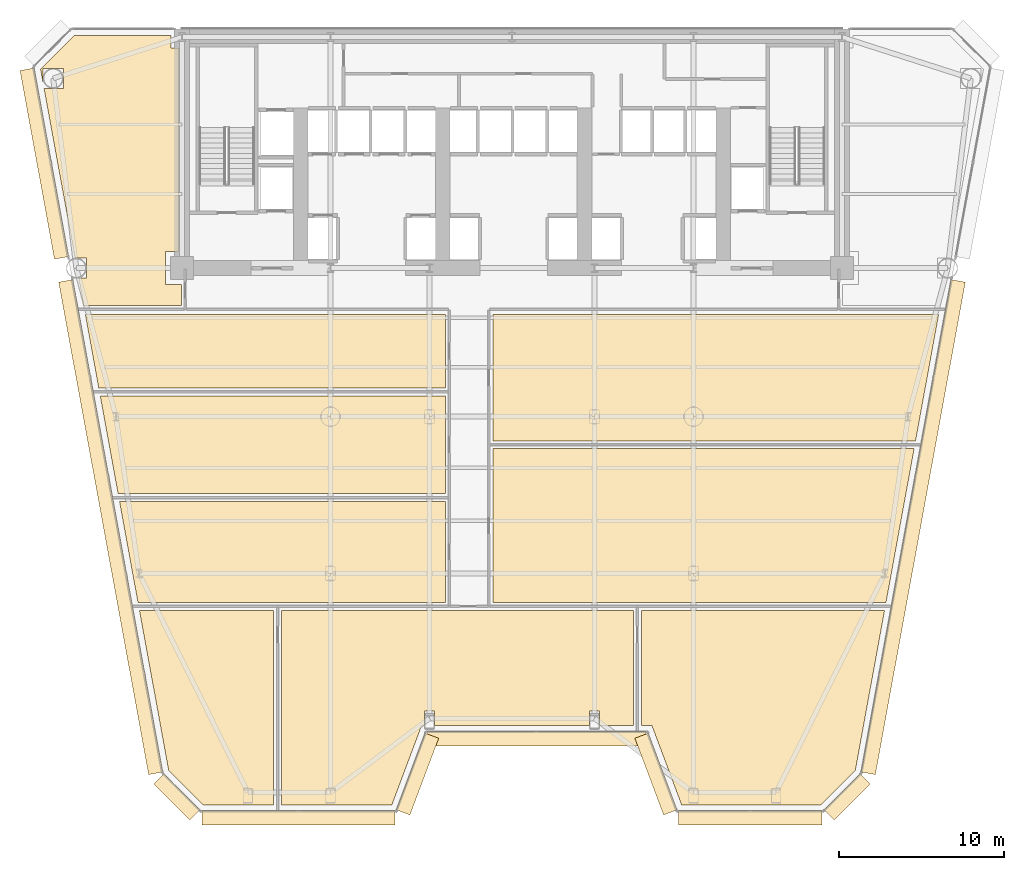
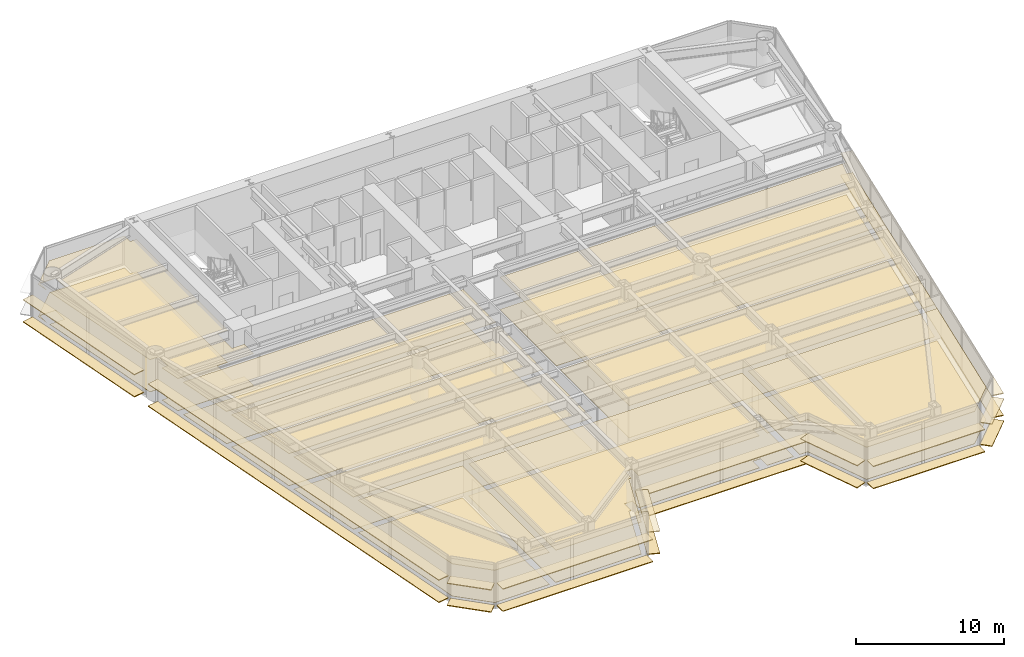
# One storey, part 11 of 14: 38 coverings.
"""IFC4 building model written with IfcOpenShell, lengths in metres."""

from ifc_helpers import new_model, si_unit, direction, frame, origin, origin_2d, place, context, subcontext, project, spatial, polyline, rectangle, outline, extrude, source, transform, mapped, material, layer, layer_set, type_object, element, save


model = new_model("IFC4")

# Units and contexts
model_context = context("Model", 3, precision=1e-05, world=origin(), true_north=direction((0.0, 1.0)))
body_context = subcontext(model_context, "Body", "Model", "MODEL_VIEW")
ifc_project = project(units=[si_unit("LENGTHUNIT", "METRE"), si_unit("AREAUNIT", "SQUARE_METRE"), si_unit("VOLUMEUNIT", "CUBIC_METRE"), si_unit("PLANEANGLEUNIT", "RADIAN"), si_unit("MASSUNIT", "GRAM", prefix="KILO")], contexts=[model_context])

# Site, building, storey
site_placement = place(None, origin())
site = spatial("IfcSite", under=ifc_project, at=site_placement, CompositionType="ELEMENT")
building_placement = place(site_placement, origin())
building = spatial("IfcBuilding", under=site, at=building_placement, Name="Vaeldorn Concourse Tower", CompositionType="ELEMENT")
storey_placement = place(building_placement, frame((0.0, 0.0, 75.800048828125)))
storey = spatial("IfcBuildingStorey", under=building, at=storey_placement, Name="L19", CompositionType="ELEMENT", Elevation=75.800048828125)

# Coverings
ifc_material_1 = material(Name="Acoustic Mineral Fibre Board", Category="gypsum")
ifc_layer_1 = layer(ifc_material_1, 0.0400390625)
ifc_layer_set_1 = layer_set([ifc_layer_1], Name="Acoustic Mineral Fibre Board")
covering_type_1 = type_object("IfcCoveringType", Name="COV-CEIL-ACOUSTIC", PredefinedType="CEILING", material=ifc_layer_set_1)
covering_1_placement = place(storey_placement, frame((0.0, 0.0, 2.64990234375)))
element("IfcCovering", 1, at=covering_1_placement, inside=storey, type_object=covering_type_1, Name="Suspended Acoustic Ceiling L19-3", PredefinedType="CEILING", context=body_context, shape_type="SweptSolid", body=[
    extrude(outline(polyline([(7.4658203125, 50.60009765625), (13.340087890625, 50.60009765625), (13.340087890625, 49.840087890625), (13.820068359375, 49.840087890625), (13.820068359375, 37.5), (13.0, 37.5), (13.0, 35.5), (13.9599609375, 35.5), (13.9599609375, 34.239990234375), (8.048828125, 34.239990234375), (7.747314453125, 35.890380859375), (8.20947265625, 35.890380859375), (8.20947265625, 37.109619140625), (7.524658203125, 37.109619140625), (5.64599609375, 47.390380859375), (6.8095703125, 47.390380859375), (6.8095703125, 48.609619140625), (5.590576171875, 48.609619140625), (5.590576171875, 47.69384765625), (5.43115234375, 48.5654296875), (7.4658203125, 50.60009765625)])), origin(), (0.0, 0.0, 1.0), 0.0400390625),
])
covering_2_placement = place(storey_placement, frame((0.0, 0.0, 2.64990234375)))
element("IfcCovering", 2, at=covering_2_placement, inside=storey, type_object=covering_type_1, Name="Suspended Acoustic Ceiling L19-5", PredefinedType="CEILING", context=body_context, shape_type="SweptSolid", body=[
    extrude(outline(polyline([(29.9599609375, 22.360107421875), (29.9599609375, 16.239990234375), (11.337890625, 16.239990234375), (11.136962890625, 17.340087890625), (11.136962890625, 17.340087890625), (10.2197265625, 22.360107421875), (29.9599609375, 22.360107421875)])), origin(), (0.0, 0.0, 1.0), 0.0400390625),
])
covering_3_placement = place(storey_placement, frame((0.0, 0.0, 2.64990234375)))
element("IfcCovering", 3, at=covering_3_placement, inside=storey, type_object=covering_type_1, Name="Suspended Acoustic Ceiling L19-6", PredefinedType="CEILING", context=body_context, shape_type="SweptSolid", body=[
    extrude(outline(polyline([(29.9599609375, 28.760009765625), (29.9599609375, 22.840087890625), (10.132080078125, 22.840087890625), (9.05029296875, 28.760009765625), (29.9599609375, 28.760009765625)])), origin(), (0.0, 0.0, 1.0), 0.0400390625),
])
covering_4_placement = place(storey_placement, frame((0.0, 0.0, 2.64990234375)))
element("IfcCovering", 4, at=covering_4_placement, inside=storey, type_object=covering_type_1, Name="Suspended Acoustic Ceiling L19-7", PredefinedType="CEILING", context=body_context, shape_type="SweptSolid", body=[
    extrude(outline(polyline([(29.9599609375, 33.699951171875), (29.9599609375, 29.239990234375), (8.96240234375, 29.239990234375), (8.147705078125, 33.699951171875), (29.9599609375, 33.699951171875)])), origin(), (0.0, 0.0, 1.0), 0.0400390625),
])
covering_5_placement = place(storey_placement, frame((0.0, 0.0, 2.64990234375)))
element("IfcCovering", 5, at=covering_5_placement, inside=storey, type_object=covering_type_1, Name="Suspended Acoustic Ceiling L19-8", PredefinedType="CEILING", context=body_context, shape_type="SweptSolid", body=[
    extrude(outline(polyline([(32.840087890625, 16.239990234375), (32.840087890625, 25.56005859375), (58.364990234375, 25.56005859375), (57.0419921875, 18.319091796875), (56.946044921875, 17.794189453125), (56.662109375, 16.239990234375), (32.840087890625, 16.239990234375)])), origin(), (0.0, 0.0, 1.0), 0.0400390625),
])
covering_6_placement = place(storey_placement, frame((0.0, 0.0, 2.64990234375)))
element("IfcCovering", 6, at=covering_6_placement, inside=storey, type_object=covering_type_1, Name="Suspended Acoustic Ceiling L19-9", PredefinedType="CEILING", context=body_context, shape_type="SweptSolid", body=[
    extrude(outline(polyline([(32.840087890625, 26.0400390625), (32.840087890625, 33.699951171875), (59.852294921875, 33.699951171875), (58.45263671875, 26.0400390625), (32.840087890625, 26.0400390625)])), origin(), (0.0, 0.0, 1.0), 0.0400390625),
])
covering_7_placement = place(storey_placement, frame((0.0, 0.0, 2.64990234375)))
element("IfcCovering", 7, at=covering_7_placement, inside=storey, type_object=covering_type_1, Name="Suspended Acoustic Ceiling L19-10", PredefinedType="CEILING", context=body_context, shape_type="SweptSolid", body=[
    extrude(outline(polyline([(19.56005859375, 15.760009765625), (19.56005859375, 3.986083984375), (15.2890625, 3.986083984375), (13.1943359375, 6.080810546875), (11.42578125, 15.760009765625), (19.56005859375, 15.760009765625)])), origin(), (0.0, 0.0, 1.0), 0.0400390625),
])
covering_8_placement = place(storey_placement, frame((0.0, 0.0, 2.64990234375)))
element("IfcCovering", 8, at=covering_8_placement, inside=storey, type_object=covering_type_1, Name="Suspended Acoustic Ceiling L19-11", PredefinedType="CEILING", context=body_context, shape_type="SweptSolid", body=[
    extrude(outline(polyline([(26.722900390625, 3.986083984375), (20.0400390625, 3.986083984375), (20.0400390625, 15.760009765625), (41.360107421875, 15.760009765625), (41.360107421875, 8.7861328125), (39.300048828125, 8.7861328125), (39.300048828125, 9.67529296875), (38.699951171875, 9.67529296875), (38.699951171875, 8.7861328125), (29.300048828125, 8.7861328125), (29.300048828125, 9.67529296875), (28.699951171875, 9.67529296875), (28.699951171875, 8.7861328125), (28.522705078125, 8.7861328125), (26.722900390625, 3.986083984375)])), origin(), (0.0, 0.0, 1.0), 0.0400390625),
])
covering_9_placement = place(storey_placement, frame((0.0, 0.0, 2.64990234375)))
element("IfcCovering", 9, at=covering_9_placement, inside=storey, type_object=covering_type_1, Name="Suspended Acoustic Ceiling L19-12", PredefinedType="CEILING", context=body_context, shape_type="SweptSolid", body=[
    extrude(outline(polyline([(41.840087890625, 8.7861328125), (41.840087890625, 15.760009765625), (56.57421875, 15.760009765625), (54.8056640625, 6.080810546875), (52.7109375, 3.986083984375), (44.277099609375, 3.986083984375), (42.477294921875, 8.7861328125), (41.840087890625, 8.7861328125)])), origin(), (0.0, 0.0, 1.0), 0.0400390625),
])
ifc_material_2 = material(Name="Honed Limestone Terrazzo Flooring", Category="masonry")
ifc_layer_2 = layer(ifc_material_2, 0.0400390625)
ifc_layer_set_2 = layer_set([ifc_layer_2], Name="Honed Limestone Terrazzo Flooring")
covering_type_2 = type_object("IfcCoveringType", Name="COV-FLOOR-STONE", PredefinedType="FLOORING", material=ifc_layer_set_2)
covering_10_placement = place(storey_placement, origin())
element("IfcCovering", 10, at=covering_10_placement, inside=storey, type_object=covering_type_2, Name="Floor Finish Covering L19-3", PredefinedType="FLOORING", context=body_context, shape_type="SweptSolid", body=[
    extrude(outline(polyline([(7.4658203125, 50.60009765625), (13.340087890625, 50.60009765625), (13.340087890625, 49.840087890625), (13.820068359375, 49.840087890625), (13.820068359375, 37.5), (13.0, 37.5), (13.0, 35.5), (13.9599609375, 35.5), (13.9599609375, 34.239990234375), (8.048828125, 34.239990234375), (7.747314453125, 35.890380859375), (8.20947265625, 35.890380859375), (8.20947265625, 37.109619140625), (7.524658203125, 37.109619140625), (5.64599609375, 47.390380859375), (6.8095703125, 47.390380859375), (6.8095703125, 48.609619140625), (5.590576171875, 48.609619140625), (5.590576171875, 47.69384765625), (5.43115234375, 48.5654296875), (7.4658203125, 50.60009765625)])), origin(), (0.0, 0.0, 1.0), 0.030029296875),
])
covering_11_placement = place(storey_placement, origin())
element("IfcCovering", 11, at=covering_11_placement, inside=storey, type_object=covering_type_2, Name="Floor Finish Covering L19-5", PredefinedType="FLOORING", context=body_context, shape_type="SweptSolid", body=[
    extrude(outline(polyline([(29.9599609375, 22.360107421875), (29.9599609375, 16.239990234375), (11.337890625, 16.239990234375), (11.136962890625, 17.340087890625), (11.136962890625, 17.340087890625), (10.2197265625, 22.360107421875), (29.9599609375, 22.360107421875)])), origin(), (0.0, 0.0, 1.0), 0.030029296875),
])
covering_12_placement = place(storey_placement, origin())
element("IfcCovering", 12, at=covering_12_placement, inside=storey, type_object=covering_type_2, Name="Floor Finish Covering L19-6", PredefinedType="FLOORING", context=body_context, shape_type="SweptSolid", body=[
    extrude(outline(polyline([(29.9599609375, 28.760009765625), (29.9599609375, 22.840087890625), (10.132080078125, 22.840087890625), (9.05029296875, 28.760009765625), (29.9599609375, 28.760009765625)])), origin(), (0.0, 0.0, 1.0), 0.030029296875),
])
covering_13_placement = place(storey_placement, origin())
element("IfcCovering", 13, at=covering_13_placement, inside=storey, type_object=covering_type_2, Name="Floor Finish Covering L19-7", PredefinedType="FLOORING", context=body_context, shape_type="SweptSolid", body=[
    extrude(outline(polyline([(29.9599609375, 33.699951171875), (29.9599609375, 29.239990234375), (8.96240234375, 29.239990234375), (8.147705078125, 33.699951171875), (29.9599609375, 33.699951171875)])), origin(), (0.0, 0.0, 1.0), 0.030029296875),
])
covering_14_placement = place(storey_placement, origin())
element("IfcCovering", 14, at=covering_14_placement, inside=storey, type_object=covering_type_2, Name="Floor Finish Covering L19-8", PredefinedType="FLOORING", context=body_context, shape_type="SweptSolid", body=[
    extrude(outline(polyline([(32.840087890625, 16.239990234375), (32.840087890625, 25.56005859375), (58.364990234375, 25.56005859375), (57.0419921875, 18.319091796875), (56.946044921875, 17.794189453125), (56.662109375, 16.239990234375), (32.840087890625, 16.239990234375)])), origin(), (0.0, 0.0, 1.0), 0.030029296875),
])
covering_15_placement = place(storey_placement, origin())
element("IfcCovering", 15, at=covering_15_placement, inside=storey, type_object=covering_type_2, Name="Floor Finish Covering L19-9", PredefinedType="FLOORING", context=body_context, shape_type="SweptSolid", body=[
    extrude(outline(polyline([(32.840087890625, 26.0400390625), (32.840087890625, 33.699951171875), (59.852294921875, 33.699951171875), (58.45263671875, 26.0400390625), (32.840087890625, 26.0400390625)])), origin(), (0.0, 0.0, 1.0), 0.030029296875),
])
covering_16_placement = place(storey_placement, origin())
element("IfcCovering", 16, at=covering_16_placement, inside=storey, type_object=covering_type_2, Name="Floor Finish Covering L19-10", PredefinedType="FLOORING", context=body_context, shape_type="SweptSolid", body=[
    extrude(outline(polyline([(19.56005859375, 15.760009765625), (19.56005859375, 3.986083984375), (15.2890625, 3.986083984375), (13.1943359375, 6.080810546875), (11.42578125, 15.760009765625), (19.56005859375, 15.760009765625)])), origin(), (0.0, 0.0, 1.0), 0.030029296875),
])
covering_17_placement = place(storey_placement, origin())
element("IfcCovering", 17, at=covering_17_placement, inside=storey, type_object=covering_type_2, Name="Floor Finish Covering L19-11", PredefinedType="FLOORING", context=body_context, shape_type="SweptSolid", body=[
    extrude(outline(polyline([(26.722900390625, 3.986083984375), (20.0400390625, 3.986083984375), (20.0400390625, 15.760009765625), (41.360107421875, 15.760009765625), (41.360107421875, 8.7861328125), (39.300048828125, 8.7861328125), (39.300048828125, 9.67529296875), (38.699951171875, 9.67529296875), (38.699951171875, 8.7861328125), (29.300048828125, 8.7861328125), (29.300048828125, 9.67529296875), (28.699951171875, 9.67529296875), (28.699951171875, 8.7861328125), (28.522705078125, 8.7861328125), (26.722900390625, 3.986083984375)])), origin(), (0.0, 0.0, 1.0), 0.030029296875),
])
covering_18_placement = place(storey_placement, origin())
element("IfcCovering", 18, at=covering_18_placement, inside=storey, type_object=covering_type_2, Name="Floor Finish Covering L19-12", PredefinedType="FLOORING", context=body_context, shape_type="SweptSolid", body=[
    extrude(outline(polyline([(41.840087890625, 8.7861328125), (41.840087890625, 15.760009765625), (56.57421875, 15.760009765625), (54.8056640625, 6.080810546875), (52.7109375, 3.986083984375), (44.277099609375, 3.986083984375), (42.477294921875, 8.7861328125), (41.840087890625, 8.7861328125)])), origin(), (0.0, 0.0, 1.0), 0.030029296875),
])
ifc_material_3 = material(Name="Anodised Bronze Aluminium", Category="aluminium")
ifc_layer_3 = layer(ifc_material_3, 0.06494140625)
ifc_layer_set_3 = layer_set([ifc_layer_3], Name="Anodised Bronze Aluminium")
covering_type_3 = type_object("IfcCoveringType", Name="SD-BRONZE-SUNSHADE", PredefinedType="USERDEFINED", material=ifc_layer_set_3)
shared_shape_1 = source(origin(), body_context, "Body", "SweptSolid", [
    extrude(rectangle(XDim=4.96630859375, YDim=0.8798828125, at=origin_2d()), origin(), (0.0, 0.0, 1.0), 0.06494140625),
])
for number, where, z_axis, x_axis, name in (
    (19, (28.2744140625, 5.845703125, 0.04736328125), (0.0, 0.0, 1.0), (0.351122702609, 0.936329454686, 0.0), "Horizontal Bronze Sunshade L19-E02.1.1"),
    (20, (28.2744140625, 5.845703125, 1.867431640625), (0.0, 0.0, 1.0), (0.351122702609, 0.936329454686, 0.0), "Horizontal Bronze Sunshade L19-E02.1.2"),
    (21, (42.7255859375, 5.845703125, 0.04736328125), (0.0, 0.0, 1.0), (0.351122702609, -0.936329454686, 0.0), "Horizontal Bronze Sunshade L19-E04.1.1"),
    (22, (42.7255859375, 5.845703125, 1.867431640625), (0.0, 0.0, 1.0), (0.351122702609, -0.936329454686, 0.0), "Horizontal Bronze Sunshade L19-E04.1.2"),
):
    element("IfcCovering", number, at=place(storey_placement, frame(where, z_axis=z_axis, x_axis=x_axis)), inside=storey, type_object=covering_type_3, Name=name, ObjectType="SUNSHADE", PredefinedType="USERDEFINED", context=body_context, shape_type="MappedRepresentation", body=[
        mapped(shared_shape_1, transform((0.0, 0.0, 0.0), scale=1.0)),
    ])
shared_shape_2 = source(origin(), body_context, "Body", "SweptSolid", [
    extrude(rectangle(XDim=13.239990234375, YDim=0.8798828125, at=origin_2d()), origin(), (0.0, 0.0, 1.0), 0.06494140625),
])
for number, where, z_axis, x_axis, name in (
    (23, (35.5, 7.986083984375, 0.04736328125), (0.0, 0.0, 1.0), (1.0, 0.0, 0.0), "Horizontal Bronze Sunshade L19-E03.1.1"),
    (24, (35.5, 7.986083984375, 1.867431640625), (0.0, 0.0, 1.0), (1.0, 0.0, 0.0), "Horizontal Bronze Sunshade L19-E03.1.2"),
):
    element("IfcCovering", number, at=place(storey_placement, frame(where, z_axis=z_axis, x_axis=x_axis)), inside=storey, type_object=covering_type_3, Name=name, ObjectType="SUNSHADE", PredefinedType="USERDEFINED", context=body_context, shape_type="MappedRepresentation", body=[
        mapped(shared_shape_2, transform((0.0, 0.0, 0.0), scale=1.0)),
    ])
shared_shape_3 = source(origin(), body_context, "Body", "SweptSolid", [
    extrude(rectangle(XDim=3.0927734375, YDim=0.8798828125, at=origin_2d()), origin(), (0.0, 0.0, 1.0), 0.06494140625),
])
for number, where, z_axis, x_axis, name in (
    (25, (54.3095703125, 4.453369140625, 0.04736328125), (0.0, 0.0, 1.0), (0.707106781187, 0.707106781187, 0.0), "Horizontal Bronze Sunshade L19-E06.1.1"),
    (26, (54.3095703125, 4.453369140625, 1.867431640625), (0.0, 0.0, 1.0), (0.707106781187, 0.707106781187, 0.0), "Horizontal Bronze Sunshade L19-E06.1.2"),
    (27, (13.6904296875, 4.453369140625, 0.04736328125), (0.0, 0.0, 1.0), (0.707106781187, -0.707106781187, 0.0), "Horizontal Bronze Sunshade L19-E12.1.1"),
    (28, (13.6904296875, 4.453369140625, 1.867431640625), (0.0, 0.0, 1.0), (0.707106781187, -0.707106781187, 0.0), "Horizontal Bronze Sunshade L19-E12.1.2"),
):
    element("IfcCovering", number, at=place(storey_placement, frame(where, z_axis=z_axis, x_axis=x_axis)), inside=storey, type_object=covering_type_3, Name=name, ObjectType="SUNSHADE", PredefinedType="USERDEFINED", context=body_context, shape_type="MappedRepresentation", body=[
        mapped(shared_shape_3, transform((0.0, 0.0, 0.0), scale=1.0)),
    ])
shared_shape_4 = source(origin(), body_context, "Body", "SweptSolid", [
    extrude(rectangle(XDim=11.716796875, YDim=0.8798828125, at=origin_2d()), origin(), (0.0, 0.0, 1.0), 0.06494140625),
])
for number, where, z_axis, x_axis, name in (
    (29, (21.061767578125, 3.18603515625, 0.04736328125), (0.0, 0.0, 1.0), (1.0, 0.0, 0.0), "Horizontal Bronze Sunshade L19-E01.1.1"),
    (30, (21.061767578125, 3.18603515625, 1.867431640625), (0.0, 0.0, 1.0), (1.0, 0.0, 0.0), "Horizontal Bronze Sunshade L19-E01.1.2"),
):
    element("IfcCovering", number, at=place(storey_placement, frame(where, z_axis=z_axis, x_axis=x_axis)), inside=storey, type_object=covering_type_3, Name=name, ObjectType="SUNSHADE", PredefinedType="USERDEFINED", context=body_context, shape_type="MappedRepresentation", body=[
        mapped(shared_shape_4, transform((0.0, 0.0, 0.0), scale=1.0)),
    ])
shared_shape_5 = source(origin(), body_context, "Body", "SweptSolid", [
    extrude(rectangle(XDim=8.716796875, YDim=0.8798828125, at=origin_2d()), origin(), (0.0, 0.0, 1.0), 0.06494140625),
])
for number, where, z_axis, x_axis, name in (
    (31, (48.438232421875, 3.18603515625, 0.04736328125), (0.0, 0.0, 1.0), (1.0, 0.0, 0.0), "Horizontal Bronze Sunshade L19-E05.1.1"),
    (32, (48.438232421875, 3.18603515625, 1.867431640625), (0.0, 0.0, 1.0), (1.0, 0.0, 0.0), "Horizontal Bronze Sunshade L19-E05.1.2"),
):
    element("IfcCovering", number, at=place(storey_placement, frame(where, z_axis=z_axis, x_axis=x_axis)), inside=storey, type_object=covering_type_3, Name=name, ObjectType="SUNSHADE", PredefinedType="USERDEFINED", context=body_context, shape_type="MappedRepresentation", body=[
        mapped(shared_shape_5, transform((0.0, 0.0, 0.0), scale=1.0)),
    ])
shared_shape_6 = source(origin(), body_context, "Body", "SweptSolid", [
    extrude(rectangle(XDim=30.3310546875, YDim=0.8798828125, at=origin_2d()), origin(), (0.0, 0.0, 1.0), 0.06494140625),
])
for number, where, z_axis, x_axis, name in (
    (33, (58.310546875, 20.811279296875, 0.04736328125), (0.0, 0.0, 1.0), (0.179746594427, 0.983712946846, 0.0), "Horizontal Bronze Sunshade L19-E07.1.1"),
    (34, (58.310546875, 20.811279296875, 1.867431640625), (0.0, 0.0, 1.0), (0.179746594427, 0.983712946846, 0.0), "Horizontal Bronze Sunshade L19-E07.1.2"),
    (35, (9.689453125, 20.811279296875, 0.04736328125), (0.0, 0.0, 1.0), (0.179746594427, -0.983712946846, 0.0), "Horizontal Bronze Sunshade L19-E11.2.1"),
    (36, (9.689453125, 20.811279296875, 1.867431640625), (0.0, 0.0, 1.0), (0.179746594427, -0.983712946846, 0.0), "Horizontal Bronze Sunshade L19-E11.2.2"),
):
    element("IfcCovering", number, at=place(storey_placement, frame(where, z_axis=z_axis, x_axis=x_axis)), inside=storey, type_object=covering_type_3, Name=name, ObjectType="SUNSHADE", PredefinedType="USERDEFINED", context=body_context, shape_type="MappedRepresentation", body=[
        mapped(shared_shape_6, transform((0.0, 0.0, 0.0), scale=1.0)),
    ])
shared_shape_7 = source(origin(), body_context, "Body", "SweptSolid", [
    extrude(rectangle(XDim=11.6123046875, YDim=0.8798828125, at=origin_2d()), origin(), (0.0, 0.0, 1.0), 0.06494140625),
])
for number, where, z_axis, x_axis, name in (
    (37, (5.66455078125, 42.837890625, 0.04736328125), (0.0, 0.0, 1.0), (0.179746594427, -0.983712946846, 0.0), "Horizontal Bronze Sunshade L19-E11.1.1"),
    (38, (5.66455078125, 42.837890625, 1.867431640625), (0.0, 0.0, 1.0), (0.179746594427, -0.983712946846, 0.0), "Horizontal Bronze Sunshade L19-E11.1.2"),
):
    element("IfcCovering", number, at=place(storey_placement, frame(where, z_axis=z_axis, x_axis=x_axis)), inside=storey, type_object=covering_type_3, Name=name, ObjectType="SUNSHADE", PredefinedType="USERDEFINED", context=body_context, shape_type="MappedRepresentation", body=[
        mapped(shared_shape_7, transform((0.0, 0.0, 0.0), scale=1.0)),
    ])

save(model, "model.ifc")
